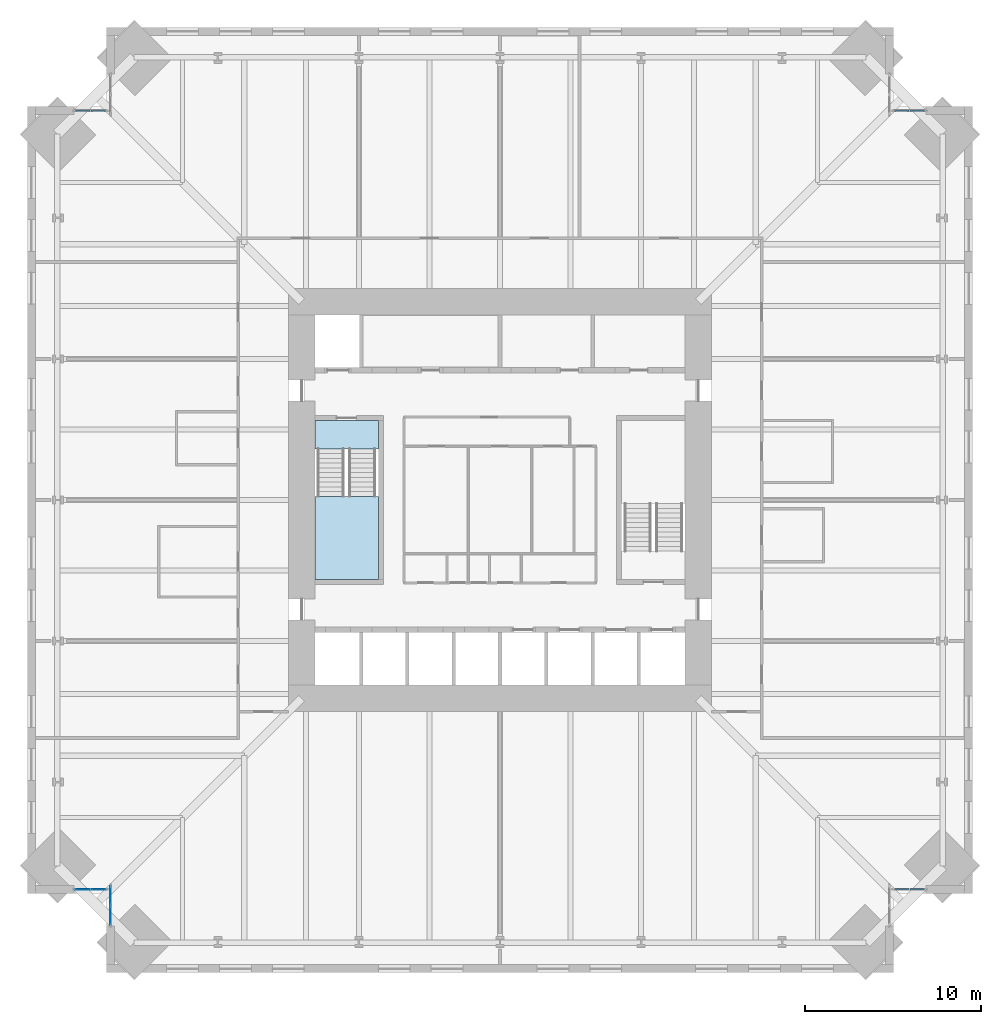
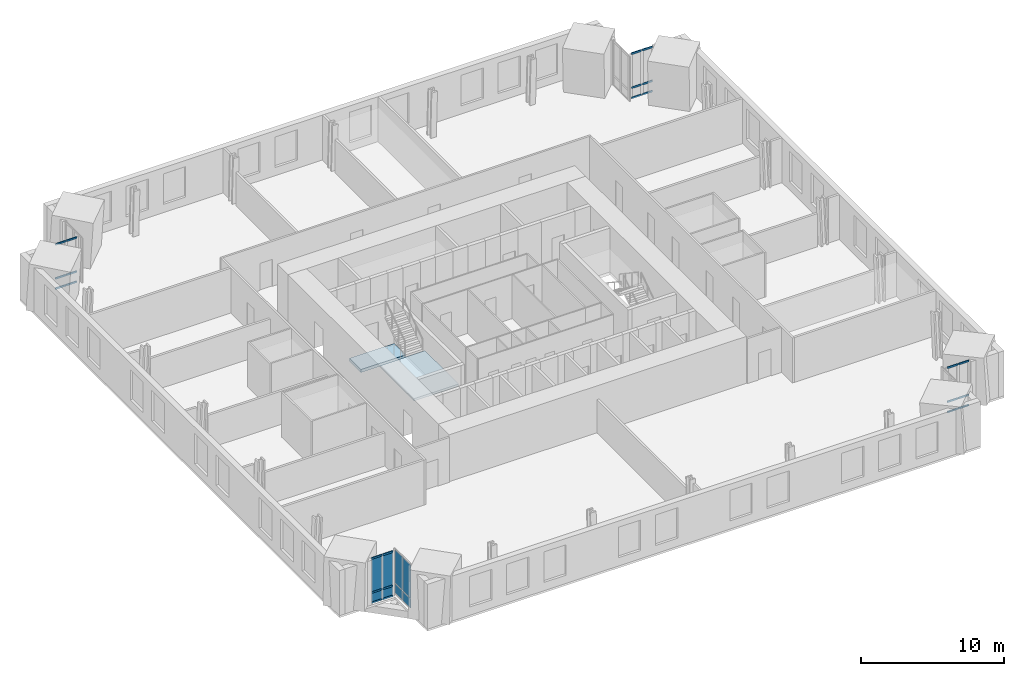
# One storey, part 9 of 17: 24 members, 8 plates, 2 slabs, 6 elements without a shape of their own.
"""IFC4 building model written with IfcOpenShell, lengths in metres."""

from ifc_helpers import new_model, si_unit, direction, frame, origin, origin_2d, place, context, subcontext, project, spatial, polyline, rectangle, hollow_rectangle, outline, extrude, material, layer, layer_set, material_profile, profile_set, type_object, element, aggregate, save


model = new_model("IFC4")

# Units and contexts
model_context = context("Model", 3, precision=1e-05, world=origin(), true_north=direction((0.0, 1.0)))
body_context = subcontext(model_context, "Body", "Model", "MODEL_VIEW")
ifc_project = project(units=[si_unit("LENGTHUNIT", "METRE"), si_unit("AREAUNIT", "SQUARE_METRE"), si_unit("VOLUMEUNIT", "CUBIC_METRE"), si_unit("PLANEANGLEUNIT", "RADIAN"), si_unit("MASSUNIT", "GRAM", prefix="KILO")], contexts=[model_context])

# Site, building, storey
site_placement = place(None, origin())
site = spatial("IfcSite", under=ifc_project, at=site_placement, CompositionType="ELEMENT")
building_placement = place(site_placement, origin())
building = spatial("IfcBuilding", under=site, at=building_placement, Name="Peilmerk Tower", CompositionType="ELEMENT")
storey_placement = place(building_placement, frame((0.0, 0.0, 143.800048828125)))
storey = spatial("IfcBuildingStorey", under=building, at=storey_placement, Name="L29", CompositionType="ELEMENT", Elevation=143.800048828125)

# Curtain wall, members
ifc_material_1 = material(Name="Aluminium stick curtain wall", Category="aluminium")
curtain_wall_type = type_object("IfcCurtainWallType", Name="CW3 stick curtain wall, 2250 module", PredefinedType="NOTDEFINED", material=ifc_material_1)
curtain_wall_1_placement = place(storey_placement, origin())
curtain_wall_1 = element("IfcCurtainWall", 1, at=curtain_wall_1_placement, inside=storey, type_object=curtain_wall_type, Name="Curtain wall CW3 NEB L29", PredefinedType="NOTDEFINED")
ifc_material_2 = material(Name="Aluminium EN AW-6063 T6", Category="aluminium")
ifc_material_profile = material_profile(ifc_material_2, hollow_rectangle(XDim=0.06494140625, YDim=0.14990234375, WallThickness=0.0029296875, at=origin_2d()), Name="AL 150x65x3")
ifc_profile_set = profile_set([ifc_material_profile], Name="Aluminium EN AW-6063 T6")
member_type = type_object("IfcMemberType", Name="CW3-T AL 150x65x3 transom", PredefinedType="USERDEFINED", material=ifc_profile_set)
member_1_placement = place(storey_placement, frame((22.364990234375, 22.074951171875, 0.032470703125), z_axis=(1.0, 0.0, 0.0), x_axis=(0.0, 1.0, 0.0)))
member_1 = element("IfcMember", 2, at=member_1_placement, type_object=member_type, Name="CW3 transom 1.1", ObjectType="TRANSOM", PredefinedType="USERDEFINED", context=body_context, shape_type="SweptSolid", body=[
    extrude(hollow_rectangle(XDim=0.06494140625, YDim=0.14990234375, WallThickness=0.0029296875, at=origin_2d()), origin(), (0.0, 0.0, 1.0), 0.82177734375),
])
member_2_placement = place(storey_placement, frame((22.364990234375, 22.074951171875, 0.89990234375), z_axis=(1.0, 0.0, 0.0), x_axis=(0.0, 1.0, 0.0)))
member_2 = element("IfcMember", 3, at=member_2_placement, type_object=member_type, Name="CW3 transom 1.2", ObjectType="TRANSOM", PredefinedType="USERDEFINED", context=body_context, shape_type="SweptSolid", body=[
    extrude(hollow_rectangle(XDim=0.06494140625, YDim=0.14990234375, WallThickness=0.0029296875, at=origin_2d()), origin(), (0.0, 0.0, 1.0), 0.82177734375),
])
member_3_placement = place(storey_placement, frame((22.364990234375, 22.074951171875, 3.79736328125), z_axis=(1.0, 0.0, 0.0), x_axis=(0.0, 1.0, 0.0)))
member_3 = element("IfcMember", 4, at=member_3_placement, type_object=member_type, Name="CW3 transom 1.3", ObjectType="TRANSOM", PredefinedType="USERDEFINED", context=body_context, shape_type="SweptSolid", body=[
    extrude(hollow_rectangle(XDim=0.06494140625, YDim=0.14990234375, WallThickness=0.0029296875, at=origin_2d()), origin(), (0.0, 0.0, 1.0), 0.82177734375),
])
member_4_placement = place(storey_placement, frame((23.251953125, 22.074951171875, 0.032470703125), z_axis=(1.0, 0.0, 0.0), x_axis=(0.0, 1.0, 0.0)))
member_4 = element("IfcMember", 5, at=member_4_placement, type_object=member_type, Name="CW3 transom 2.1", ObjectType="TRANSOM", PredefinedType="USERDEFINED", context=body_context, shape_type="SweptSolid", body=[
    extrude(hollow_rectangle(XDim=0.06494140625, YDim=0.14990234375, WallThickness=0.0029296875, at=origin_2d()), origin(), (0.0, 0.0, 1.0), 0.82177734375),
])
member_5_placement = place(storey_placement, frame((23.251953125, 22.074951171875, 0.89990234375), z_axis=(1.0, 0.0, 0.0), x_axis=(0.0, 1.0, 0.0)))
member_5 = element("IfcMember", 6, at=member_5_placement, type_object=member_type, Name="CW3 transom 2.2", ObjectType="TRANSOM", PredefinedType="USERDEFINED", context=body_context, shape_type="SweptSolid", body=[
    extrude(hollow_rectangle(XDim=0.06494140625, YDim=0.14990234375, WallThickness=0.0029296875, at=origin_2d()), origin(), (0.0, 0.0, 1.0), 0.82177734375),
])
member_6_placement = place(storey_placement, frame((23.251953125, 22.074951171875, 3.79736328125), z_axis=(1.0, 0.0, 0.0), x_axis=(0.0, 1.0, 0.0)))
member_6 = element("IfcMember", 7, at=member_6_placement, type_object=member_type, Name="CW3 transom 2.3", ObjectType="TRANSOM", PredefinedType="USERDEFINED", context=body_context, shape_type="SweptSolid", body=[
    extrude(hollow_rectangle(XDim=0.06494140625, YDim=0.14990234375, WallThickness=0.0029296875, at=origin_2d()), origin(), (0.0, 0.0, 1.0), 0.82177734375),
])
aggregate(curtain_wall_1, [member_1, member_2, member_3, member_4, member_5, member_6])

curtain_wall_2_placement = place(storey_placement, origin())
curtain_wall_2 = element("IfcCurtainWall", 8, at=curtain_wall_2_placement, inside=storey, type_object=curtain_wall_type, Name="Curtain wall CW3 SEB L29", PredefinedType="NOTDEFINED")
member_7_placement = place(storey_placement, frame((22.364990234375, -22.074951171875, 0.032470703125), z_axis=(1.0, 0.0, 0.0), x_axis=(0.0, 1.0, 0.0)))
member_7 = element("IfcMember", 9, at=member_7_placement, type_object=member_type, Name="CW3 transom 1.1", ObjectType="TRANSOM", PredefinedType="USERDEFINED", context=body_context, shape_type="SweptSolid", body=[
    extrude(hollow_rectangle(XDim=0.06494140625, YDim=0.14990234375, WallThickness=0.0029296875, at=origin_2d()), origin(), (0.0, 0.0, 1.0), 0.82177734375),
])
member_8_placement = place(storey_placement, frame((22.364990234375, -22.074951171875, 0.89990234375), z_axis=(1.0, 0.0, 0.0), x_axis=(0.0, 1.0, 0.0)))
member_8 = element("IfcMember", 10, at=member_8_placement, type_object=member_type, Name="CW3 transom 1.2", ObjectType="TRANSOM", PredefinedType="USERDEFINED", context=body_context, shape_type="SweptSolid", body=[
    extrude(hollow_rectangle(XDim=0.06494140625, YDim=0.14990234375, WallThickness=0.0029296875, at=origin_2d()), origin(), (0.0, 0.0, 1.0), 0.82177734375),
])
member_9_placement = place(storey_placement, frame((22.364990234375, -22.074951171875, 3.79736328125), z_axis=(1.0, 0.0, 0.0), x_axis=(0.0, 1.0, 0.0)))
member_9 = element("IfcMember", 11, at=member_9_placement, type_object=member_type, Name="CW3 transom 1.3", ObjectType="TRANSOM", PredefinedType="USERDEFINED", context=body_context, shape_type="SweptSolid", body=[
    extrude(hollow_rectangle(XDim=0.06494140625, YDim=0.14990234375, WallThickness=0.0029296875, at=origin_2d()), origin(), (0.0, 0.0, 1.0), 0.82177734375),
])
member_10_placement = place(storey_placement, frame((23.251953125, -22.074951171875, 0.032470703125), z_axis=(1.0, 0.0, 0.0), x_axis=(0.0, 1.0, 0.0)))
member_10 = element("IfcMember", 12, at=member_10_placement, type_object=member_type, Name="CW3 transom 2.1", ObjectType="TRANSOM", PredefinedType="USERDEFINED", context=body_context, shape_type="SweptSolid", body=[
    extrude(hollow_rectangle(XDim=0.06494140625, YDim=0.14990234375, WallThickness=0.0029296875, at=origin_2d()), origin(), (0.0, 0.0, 1.0), 0.82177734375),
])
member_11_placement = place(storey_placement, frame((23.251953125, -22.074951171875, 0.89990234375), z_axis=(1.0, 0.0, 0.0), x_axis=(0.0, 1.0, 0.0)))
member_11 = element("IfcMember", 13, at=member_11_placement, type_object=member_type, Name="CW3 transom 2.2", ObjectType="TRANSOM", PredefinedType="USERDEFINED", context=body_context, shape_type="SweptSolid", body=[
    extrude(hollow_rectangle(XDim=0.06494140625, YDim=0.14990234375, WallThickness=0.0029296875, at=origin_2d()), origin(), (0.0, 0.0, 1.0), 0.82177734375),
])
member_12_placement = place(storey_placement, frame((23.251953125, -22.074951171875, 3.79736328125), z_axis=(1.0, 0.0, 0.0), x_axis=(0.0, 1.0, 0.0)))
member_12 = element("IfcMember", 14, at=member_12_placement, type_object=member_type, Name="CW3 transom 2.3", ObjectType="TRANSOM", PredefinedType="USERDEFINED", context=body_context, shape_type="SweptSolid", body=[
    extrude(hollow_rectangle(XDim=0.06494140625, YDim=0.14990234375, WallThickness=0.0029296875, at=origin_2d()), origin(), (0.0, 0.0, 1.0), 0.82177734375),
])
aggregate(curtain_wall_2, [member_7, member_8, member_9, member_10, member_11, member_12])

curtain_wall_3_placement = place(storey_placement, origin())
curtain_wall_3 = element("IfcCurtainWall", 15, at=curtain_wall_3_placement, inside=storey, type_object=curtain_wall_type, Name="Curtain wall CW3 SWB L29", PredefinedType="NOTDEFINED")
member_13_placement = place(storey_placement, frame((-22.364990234375, -22.074951171875, 0.032470703125), z_axis=(-1.0, 0.0, 0.0), x_axis=(0.0, -1.0, 0.0)))
member_13 = element("IfcMember", 16, at=member_13_placement, type_object=member_type, Name="CW3 transom 1.1", ObjectType="TRANSOM", PredefinedType="USERDEFINED", context=body_context, shape_type="SweptSolid", body=[
    extrude(hollow_rectangle(XDim=0.06494140625, YDim=0.14990234375, WallThickness=0.0029296875, at=origin_2d()), origin(), (0.0, 0.0, 1.0), 0.82177734375),
])
member_14_placement = place(storey_placement, frame((-22.364990234375, -22.074951171875, 0.89990234375), z_axis=(-1.0, 0.0, 0.0), x_axis=(0.0, -1.0, 0.0)))
member_14 = element("IfcMember", 17, at=member_14_placement, type_object=member_type, Name="CW3 transom 1.2", ObjectType="TRANSOM", PredefinedType="USERDEFINED", context=body_context, shape_type="SweptSolid", body=[
    extrude(hollow_rectangle(XDim=0.06494140625, YDim=0.14990234375, WallThickness=0.0029296875, at=origin_2d()), origin(), (0.0, 0.0, 1.0), 0.82177734375),
])
member_15_placement = place(storey_placement, frame((-22.364990234375, -22.074951171875, 3.79736328125), z_axis=(-1.0, 0.0, 0.0), x_axis=(0.0, -1.0, 0.0)))
member_15 = element("IfcMember", 18, at=member_15_placement, type_object=member_type, Name="CW3 transom 1.3", ObjectType="TRANSOM", PredefinedType="USERDEFINED", context=body_context, shape_type="SweptSolid", body=[
    extrude(hollow_rectangle(XDim=0.06494140625, YDim=0.14990234375, WallThickness=0.0029296875, at=origin_2d()), origin(), (0.0, 0.0, 1.0), 0.82177734375),
])
member_16_placement = place(storey_placement, frame((-23.251953125, -22.074951171875, 0.032470703125), z_axis=(-1.0, 0.0, 0.0), x_axis=(0.0, -1.0, 0.0)))
member_16 = element("IfcMember", 19, at=member_16_placement, type_object=member_type, Name="CW3 transom 2.1", ObjectType="TRANSOM", PredefinedType="USERDEFINED", context=body_context, shape_type="SweptSolid", body=[
    extrude(hollow_rectangle(XDim=0.06494140625, YDim=0.14990234375, WallThickness=0.0029296875, at=origin_2d()), origin(), (0.0, 0.0, 1.0), 0.82177734375),
])
member_17_placement = place(storey_placement, frame((-23.251953125, -22.074951171875, 0.89990234375), z_axis=(-1.0, 0.0, 0.0), x_axis=(0.0, -1.0, 0.0)))
member_17 = element("IfcMember", 20, at=member_17_placement, type_object=member_type, Name="CW3 transom 2.2", ObjectType="TRANSOM", PredefinedType="USERDEFINED", context=body_context, shape_type="SweptSolid", body=[
    extrude(hollow_rectangle(XDim=0.06494140625, YDim=0.14990234375, WallThickness=0.0029296875, at=origin_2d()), origin(), (0.0, 0.0, 1.0), 0.82177734375),
])
member_18_placement = place(storey_placement, frame((-23.251953125, -22.074951171875, 3.79736328125), z_axis=(-1.0, 0.0, 0.0), x_axis=(0.0, -1.0, 0.0)))
member_18 = element("IfcMember", 21, at=member_18_placement, type_object=member_type, Name="CW3 transom 2.3", ObjectType="TRANSOM", PredefinedType="USERDEFINED", context=body_context, shape_type="SweptSolid", body=[
    extrude(hollow_rectangle(XDim=0.06494140625, YDim=0.14990234375, WallThickness=0.0029296875, at=origin_2d()), origin(), (0.0, 0.0, 1.0), 0.82177734375),
])

curtain_wall_4_placement = place(storey_placement, origin())
curtain_wall_4 = element("IfcCurtainWall", 22, at=curtain_wall_4_placement, inside=storey, type_object=curtain_wall_type, Name="Curtain wall CW3 NWB L29", PredefinedType="NOTDEFINED")
member_19_placement = place(storey_placement, frame((-22.364990234375, 22.074951171875, 0.032470703125), z_axis=(-1.0, 0.0, 0.0), x_axis=(0.0, -1.0, 0.0)))
member_19 = element("IfcMember", 23, at=member_19_placement, type_object=member_type, Name="CW3 transom 1.1", ObjectType="TRANSOM", PredefinedType="USERDEFINED", context=body_context, shape_type="SweptSolid", body=[
    extrude(hollow_rectangle(XDim=0.06494140625, YDim=0.14990234375, WallThickness=0.0029296875, at=origin_2d()), origin(), (0.0, 0.0, 1.0), 0.82177734375),
])
member_20_placement = place(storey_placement, frame((-22.364990234375, 22.074951171875, 0.89990234375), z_axis=(-1.0, 0.0, 0.0), x_axis=(0.0, -1.0, 0.0)))
member_20 = element("IfcMember", 24, at=member_20_placement, type_object=member_type, Name="CW3 transom 1.2", ObjectType="TRANSOM", PredefinedType="USERDEFINED", context=body_context, shape_type="SweptSolid", body=[
    extrude(hollow_rectangle(XDim=0.06494140625, YDim=0.14990234375, WallThickness=0.0029296875, at=origin_2d()), origin(), (0.0, 0.0, 1.0), 0.82177734375),
])
member_21_placement = place(storey_placement, frame((-22.364990234375, 22.074951171875, 3.79736328125), z_axis=(-1.0, 0.0, 0.0), x_axis=(0.0, -1.0, 0.0)))
member_21 = element("IfcMember", 25, at=member_21_placement, type_object=member_type, Name="CW3 transom 1.3", ObjectType="TRANSOM", PredefinedType="USERDEFINED", context=body_context, shape_type="SweptSolid", body=[
    extrude(hollow_rectangle(XDim=0.06494140625, YDim=0.14990234375, WallThickness=0.0029296875, at=origin_2d()), origin(), (0.0, 0.0, 1.0), 0.82177734375),
])
member_22_placement = place(storey_placement, frame((-23.251953125, 22.074951171875, 0.032470703125), z_axis=(-1.0, 0.0, 0.0), x_axis=(0.0, -1.0, 0.0)))
member_22 = element("IfcMember", 26, at=member_22_placement, type_object=member_type, Name="CW3 transom 2.1", ObjectType="TRANSOM", PredefinedType="USERDEFINED", context=body_context, shape_type="SweptSolid", body=[
    extrude(hollow_rectangle(XDim=0.06494140625, YDim=0.14990234375, WallThickness=0.0029296875, at=origin_2d()), origin(), (0.0, 0.0, 1.0), 0.82177734375),
])
member_23_placement = place(storey_placement, frame((-23.251953125, 22.074951171875, 0.89990234375), z_axis=(-1.0, 0.0, 0.0), x_axis=(0.0, -1.0, 0.0)))
member_23 = element("IfcMember", 27, at=member_23_placement, type_object=member_type, Name="CW3 transom 2.2", ObjectType="TRANSOM", PredefinedType="USERDEFINED", context=body_context, shape_type="SweptSolid", body=[
    extrude(hollow_rectangle(XDim=0.06494140625, YDim=0.14990234375, WallThickness=0.0029296875, at=origin_2d()), origin(), (0.0, 0.0, 1.0), 0.82177734375),
])
member_24_placement = place(storey_placement, frame((-23.251953125, 22.074951171875, 3.79736328125), z_axis=(-1.0, 0.0, 0.0), x_axis=(0.0, -1.0, 0.0)))
member_24 = element("IfcMember", 28, at=member_24_placement, type_object=member_type, Name="CW3 transom 2.3", ObjectType="TRANSOM", PredefinedType="USERDEFINED", context=body_context, shape_type="SweptSolid", body=[
    extrude(hollow_rectangle(XDim=0.06494140625, YDim=0.14990234375, WallThickness=0.0029296875, at=origin_2d()), origin(), (0.0, 0.0, 1.0), 0.82177734375),
])
aggregate(curtain_wall_4, [member_19, member_20, member_21, member_22, member_23, member_24])

# Curtain wall, plates
curtain_wall_5_placement = place(storey_placement, origin())
curtain_wall_5 = element("IfcCurtainWall", 29, at=curtain_wall_5_placement, inside=storey, type_object=curtain_wall_type, Name="Curtain wall CW3 SWA L29", PredefinedType="NOTDEFINED")
ifc_material_3 = material(Name="Clear insulated glazing unit", Category="glass")
ifc_layer_1 = layer(ifc_material_3, 0.028076171875)
ifc_layer_set_1 = layer_set([ifc_layer_1], Name="Clear insulated glazing unit")
plate_type = type_object("IfcPlateType", Name="CW3-P 28 glazed panel", PredefinedType="CURTAIN_PANEL", material=ifc_layer_set_1)
plate_1_placement = place(storey_placement, frame((-22.074951171875, -22.4384765625, 0.06494140625), z_axis=(0.0, 0.0, 1.0), x_axis=(0.0, -1.0, 0.0)))
plate_1 = element("IfcPlate", 30, at=plate_1_placement, type_object=plate_type, Name="CW3 panel 1.1", PredefinedType="CURTAIN_PANEL", context=body_context, shape_type="SweptSolid", body=[
    extrude(rectangle(XDim=1.046875, YDim=0.028076171875, at=origin_2d()), origin(), (0.0, 0.0, 1.0), 0.802490234375),
])
plate_2_placement = place(storey_placement, frame((-22.074951171875, -22.4384765625, 0.932373046875), z_axis=(0.0, 0.0, 1.0), x_axis=(0.0, -1.0, 0.0)))
plate_2 = element("IfcPlate", 31, at=plate_2_placement, type_object=plate_type, Name="CW3 panel 1.2", PredefinedType="CURTAIN_PANEL", context=body_context, shape_type="SweptSolid", body=[
    extrude(rectangle(XDim=1.046875, YDim=0.028076171875, at=origin_2d()), origin(), (0.0, 0.0, 1.0), 2.83251953125),
])
plate_3_placement = place(storey_placement, frame((-22.074951171875, -23.55029296875, 0.06494140625), z_axis=(0.0, 0.0, 1.0), x_axis=(0.0, -1.0, 0.0)))
plate_3 = element("IfcPlate", 32, at=plate_3_placement, type_object=plate_type, Name="CW3 panel 2.1", PredefinedType="CURTAIN_PANEL", context=body_context, shape_type="SweptSolid", body=[
    extrude(rectangle(XDim=1.046875, YDim=0.028076171875, at=origin_2d()), origin(), (0.0, 0.0, 1.0), 0.802490234375),
])
plate_4_placement = place(storey_placement, frame((-22.074951171875, -23.55029296875, 0.932373046875), z_axis=(0.0, 0.0, 1.0), x_axis=(0.0, -1.0, 0.0)))
plate_4 = element("IfcPlate", 33, at=plate_4_placement, type_object=plate_type, Name="CW3 panel 2.2", PredefinedType="CURTAIN_PANEL", context=body_context, shape_type="SweptSolid", body=[
    extrude(rectangle(XDim=1.046875, YDim=0.028076171875, at=origin_2d()), origin(), (0.0, 0.0, 1.0), 2.83251953125),
])
aggregate(curtain_wall_5, [plate_1, plate_2, plate_3, plate_4])

# Plate
plate_5_placement = place(storey_placement, frame((-22.77587890625, -22.074951171875, 0.06494140625), z_axis=(0.0, 0.0, 1.0), x_axis=(-1.0, 0.0, 0.0)))
plate_5 = element("IfcPlate", 34, at=plate_5_placement, type_object=plate_type, Name="CW3 panel 1.1", PredefinedType="CURTAIN_PANEL", context=body_context, shape_type="SweptSolid", body=[
    extrude(rectangle(XDim=0.82177734375, YDim=0.028076171875, at=origin_2d()), origin(), (0.0, 0.0, 1.0), 0.802490234375),
])

plate_6_placement = place(storey_placement, frame((-22.77587890625, -22.074951171875, 0.932373046875), z_axis=(0.0, 0.0, 1.0), x_axis=(-1.0, 0.0, 0.0)))
plate_6 = element("IfcPlate", 35, at=plate_6_placement, type_object=plate_type, Name="CW3 panel 1.2", PredefinedType="CURTAIN_PANEL", context=body_context, shape_type="SweptSolid", body=[
    extrude(rectangle(XDim=0.82177734375, YDim=0.028076171875, at=origin_2d()), origin(), (0.0, 0.0, 1.0), 2.83251953125),
])

plate_7_placement = place(storey_placement, frame((-23.662841796875, -22.074951171875, 0.06494140625), z_axis=(0.0, 0.0, 1.0), x_axis=(-1.0, 0.0, 0.0)))
plate_7 = element("IfcPlate", 36, at=plate_7_placement, type_object=plate_type, Name="CW3 panel 2.1", PredefinedType="CURTAIN_PANEL", context=body_context, shape_type="SweptSolid", body=[
    extrude(rectangle(XDim=0.82177734375, YDim=0.028076171875, at=origin_2d()), origin(), (0.0, 0.0, 1.0), 0.802490234375),
])

plate_8_placement = place(storey_placement, frame((-23.662841796875, -22.074951171875, 0.932373046875), z_axis=(0.0, 0.0, 1.0), x_axis=(-1.0, 0.0, 0.0)))
plate_8 = element("IfcPlate", 37, at=plate_8_placement, type_object=plate_type, Name="CW3 panel 2.2", PredefinedType="CURTAIN_PANEL", context=body_context, shape_type="SweptSolid", body=[
    extrude(rectangle(XDim=0.82177734375, YDim=0.028076171875, at=origin_2d()), origin(), (0.0, 0.0, 1.0), 2.83251953125),
])

aggregate(curtain_wall_3, [member_13, member_14, member_15, plate_5, plate_6, member_16, member_17, member_18, plate_7, plate_8])

# Stair, slabs
ifc_material_4 = material(Name="Precast concrete C45/55", Category="concrete")
stair_type = type_object("IfcStairType", Name="ST1 22 risers of 181.8", PredefinedType="HALF_TURN_STAIR", material=ifc_material_4)
stair_placement = place(storey_placement, origin())
stair = element("IfcStair", 38, at=stair_placement, inside=storey, type_object=stair_type, Name="Stair 1 L29 to L30", PredefinedType="HALF_TURN_STAIR")
ifc_material_5 = material(Name="Concrete C35/45", Category="concrete")
ifc_layer_2 = layer(ifc_material_5, 0.199951171875)
ifc_layer_set_2 = layer_set([ifc_layer_2], Name="Concrete C35/45")
slab_type_1 = type_object("IfcSlabType", Name="SL1 200 concrete stair landing", PredefinedType="LANDING", material=ifc_layer_set_2)
slab_1_placement = place(storey_placement, frame((0.0, 0.0, 1.800048828125)))
slab_1 = element("IfcSlab", 39, at=slab_1_placement, type_object=slab_type_1, Name="ST1 landing 1", PredefinedType="LANDING", context=body_context, shape_type="SweptSolid", body=[
    extrude(outline(polyline([(-10.5, -4.5), (-6.89990234375, -4.5), (-6.89990234375, 0.199951171875), (-10.5, 0.199951171875), (-10.5, -4.5)])), origin(), (0.0, 0.0, 1.0), 0.199951171875),
])
ifc_layer_3 = layer(ifc_material_5, 0.25)
ifc_layer_set_3 = layer_set([ifc_layer_3], Name="Concrete C35/45")
slab_type_2 = type_object("IfcSlabType", Name="SL2 250 concrete floor landing", PredefinedType="LANDING", material=ifc_layer_set_3)
slab_2_placement = place(storey_placement, frame((0.0, 0.0, -0.25)))
slab_2 = element("IfcSlab", 40, at=slab_2_placement, type_object=slab_type_2, Name="ST1 floor landing", PredefinedType="LANDING", context=body_context, shape_type="SweptSolid", body=[
    extrude(outline(polyline([(-10.5, 2.89990234375), (-6.89990234375, 2.89990234375), (-6.89990234375, 4.5), (-10.5, 4.5), (-10.5, 2.89990234375)])), origin(), (0.0, 0.0, 1.0), 0.25),
])
aggregate(stair, [slab_1, slab_2])

save(model, "model.ifc")
